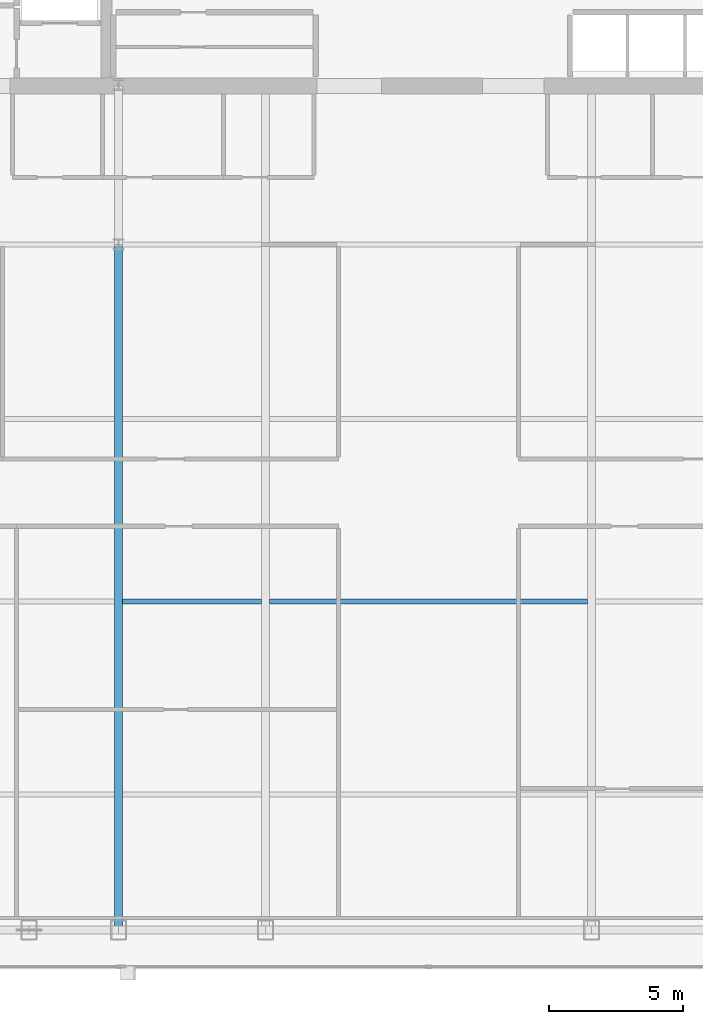
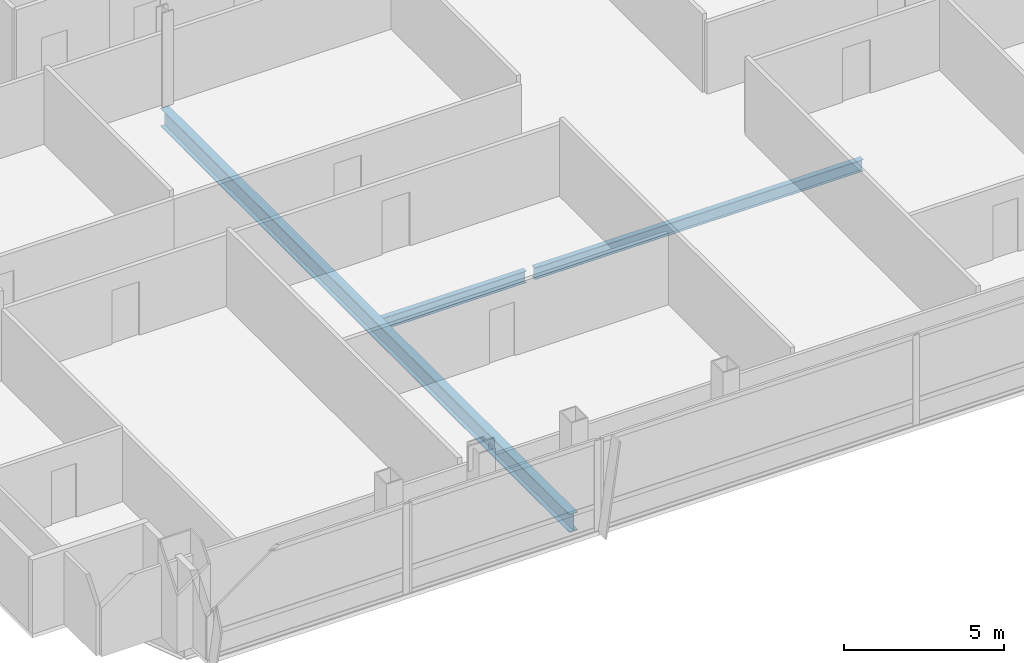
# One storey, part 9 of 32: 3 beams.
"""IFC4 building model written with IfcOpenShell, lengths in metres."""

from ifc_helpers import new_model, si_unit, direction, frame, origin, origin_2d, place, context, subcontext, project, spatial, i_section, extrude, material, material_profile, profile_set, type_object, element, save


model = new_model("IFC4")

# Units and contexts
model_context = context("Model", 3, precision=1e-05, world=origin(), true_north=direction((0.0, 1.0)))
body_context = subcontext(model_context, "Body", "Model", "MODEL_VIEW")
ifc_project = project(units=[si_unit("LENGTHUNIT", "METRE"), si_unit("AREAUNIT", "SQUARE_METRE"), si_unit("VOLUMEUNIT", "CUBIC_METRE"), si_unit("PLANEANGLEUNIT", "RADIAN"), si_unit("MASSUNIT", "GRAM", prefix="KILO")], contexts=[model_context])

# Site, building, storey
site_placement = place(None, origin())
site = spatial("IfcSite", under=ifc_project, at=site_placement, CompositionType="ELEMENT")
building_placement = place(site_placement, origin())
building = spatial("IfcBuilding", under=site, at=building_placement, Name="Khoronbel Lancet Exchange", CompositionType="ELEMENT")
storey_placement = place(building_placement, frame((0.0, 0.0, 195.800048828125)))
storey = spatial("IfcBuildingStorey", under=building, at=storey_placement, Name="L49", CompositionType="ELEMENT", Elevation=195.800048828125)

# Beams
ifc_material = material(Name="Steel S355", Category="steel")
ifc_material_profile_1 = material_profile(ifc_material, i_section(OverallWidth=0.300048828125, OverallDepth=0.699951171875, WebThickness=0.01708984375, FlangeThickness=0.031982421875, at=origin_2d()), Name="HEB 700")
ifc_profile_set_1 = profile_set([ifc_material_profile_1], Name="Steel S355")
beam_type_1 = type_object("IfcBeamType", Name="BM-BG3", PredefinedType="BEAM", material=ifc_profile_set_1)
beam_1_placement = place(storey_placement, frame((24.89990234375, 10.14990234375, -0.510009765625), z_axis=(0.0, 1.0, 0.0), x_axis=(-1.0, 0.0, 0.0)))
element("IfcBeam", 1, at=beam_1_placement, inside=storey, type_object=beam_type_1, Name="Level L49 south primary girder GS2", PredefinedType="BEAM", context=body_context, shape_type="SweptSolid", body=[
    extrude(i_section(OverallWidth=0.300048828125, OverallDepth=0.699951171875, WebThickness=0.01708984375, FlangeThickness=0.031982421875, at=origin_2d()), origin(), (0.0, 0.0, 1.0), 25.550048828125),
])
ifc_material_profile_2 = material_profile(ifc_material, i_section(OverallWidth=0.18994140625, OverallDepth=0.449951171875, WebThickness=0.009521484375, FlangeThickness=0.0146484375, at=origin_2d()), Name="IPE 450")
ifc_profile_set_2 = profile_set([ifc_material_profile_2], Name="Steel S355")
beam_type_2 = type_object("IfcBeamType", Name="BM-BJ4", PredefinedType="JOIST", material=ifc_profile_set_2)
beam_2_placement = place(storey_placement, frame((25.050048828125, 22.39990234375, -0.385009765625), z_axis=(1.0, 0.0, 0.0), x_axis=(0.0, 1.0, 0.0)))
element("IfcBeam", 2, at=beam_2_placement, inside=storey, type_object=beam_type_2, Name="Level L49 secondary composite joist J07", PredefinedType="JOIST", context=body_context, shape_type="SweptSolid", body=[
    extrude(i_section(OverallWidth=0.18994140625, OverallDepth=0.449951171875, WebThickness=0.009521484375, FlangeThickness=0.0146484375, at=origin_2d()), origin(), (0.0, 0.0, 1.0), 5.175048828125),
])
beam_3_placement = place(storey_placement, frame((30.52490234375, 22.39990234375, -0.385009765625), z_axis=(1.0, 0.0, 0.0), x_axis=(0.0, 1.0, 0.0)))
element("IfcBeam", 3, at=beam_3_placement, inside=storey, type_object=beam_type_2, Name="Level L49 secondary composite joist J08", PredefinedType="JOIST", context=body_context, shape_type="SweptSolid", body=[
    extrude(i_section(OverallWidth=0.18994140625, OverallDepth=0.449951171875, WebThickness=0.009521484375, FlangeThickness=0.0146484375, at=origin_2d()), origin(), (0.0, 0.0, 1.0), 11.85009765625),
])

save(model, "model.ifc")
